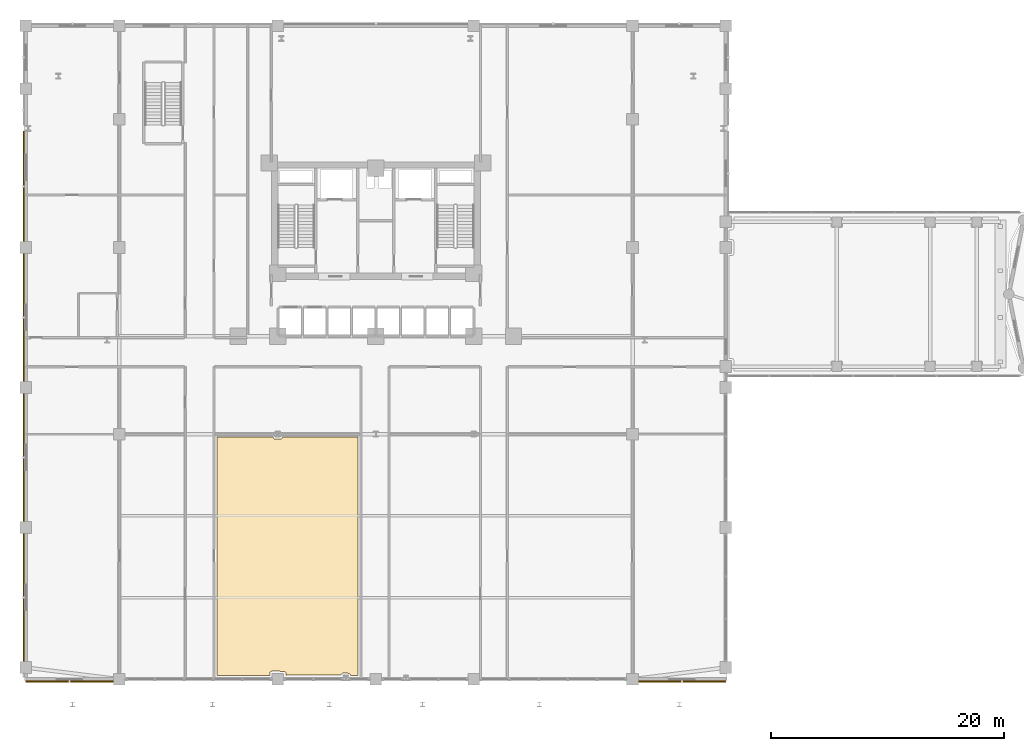
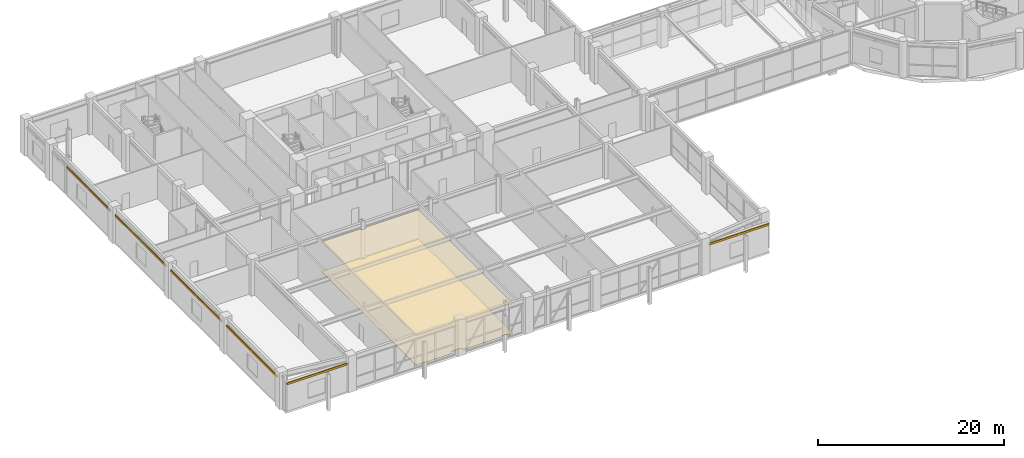
# One storey, part 42 of 48: 6 shading devices, 2 coverings.
"""IFC4 building model written with IfcOpenShell, lengths in metres."""

from ifc_helpers import new_model, si_unit, derived_unit, direction, frame, origin, origin_2d, place, context, subcontext, project, spatial, polyline, hollow_rectangle, outline, extrude, source, transform, mapped, material, layer, layer_set, material_profile, profile_set, type_object, element, save


model = new_model("IFC4")

# Units and contexts
model_context = context("Model", 3, precision=1e-05, world=origin(), true_north=direction((0.0, 1.0)))
body_context = subcontext(model_context, "Body", "Model", "MODEL_VIEW")
ifc_project = project(units=[si_unit("LENGTHUNIT", "METRE"), si_unit("AREAUNIT", "SQUARE_METRE"), si_unit("VOLUMEUNIT", "CUBIC_METRE"), si_unit("PLANEANGLEUNIT", "RADIAN"), si_unit("MASSUNIT", "GRAM", prefix="KILO"), derived_unit("THERMALTRANSMITTANCEUNIT", [(si_unit("POWERUNIT", "WATT"), 1), (si_unit("LENGTHUNIT", "METRE"), -2), (si_unit("THERMODYNAMICTEMPERATUREUNIT", "KELVIN"), -1)])], contexts=[model_context])

# Site, building, storey
site_placement = place(None, origin())
site = spatial("IfcSite", under=ifc_project, at=site_placement, CompositionType="ELEMENT")
building_placement = place(site_placement, origin())
building = spatial("IfcBuilding", under=site, at=building_placement, Name="Korsvarv Bourse and Concert Hall", CompositionType="ELEMENT")
storey_placement = place(building_placement, frame((0.0, 0.0, 4.800048828125)))
storey = spatial("IfcBuildingStorey", under=building, at=storey_placement, Name="L01", CompositionType="ELEMENT", Elevation=4.800048828125)

# Coverings
ifc_material_1 = material(Name="Perforated mineral-wool and birch acoustic baffle ceiling", Category="wood")
ifc_layer_1 = layer(ifc_material_1, 0.02490234375)
ifc_layer_set_1 = layer_set([ifc_layer_1], Name="Perforated mineral-wool and birch acoustic baffle ceiling")
covering_type_1 = type_object("IfcCoveringType", Name="COV-CEIL-1", PredefinedType="CEILING", material=ifc_layer_set_1)
covering_1_placement = place(storey_placement, frame((0.0, 0.0, 3.89990234375)))
element("IfcCovering", 1, at=covering_1_placement, inside=storey, type_object=covering_type_1, Name="L01 acoustic baffle ceiling 2", PredefinedType="CEILING", context=body_context, shape_type="SweptSolid", body=[
    extrude(outline(polyline([(27.19873046875, 23.74560546875), (27.20556640625, 23.71142578125), (27.218505859375, 23.67919921875), (27.23779296875, 23.650146484375), (27.261962890625, 23.625244140625), (27.29052734375, 23.605712890625), (27.322509765625, 23.591796875), (27.3564453125, 23.584228515625), (27.807861328125, 23.572998046875), (27.84228515625, 23.57568359375), (27.87548828125, 23.584716796875), (27.906494140625, 23.599853515625), (27.93408203125, 23.620849609375), (27.95703125, 23.646484375), (27.974853515625, 23.67626953125), (27.986572265625, 23.708740234375), (27.99169921875, 23.742919921875), (34.469970703125, 23.75), (34.469970703125, 3.340087890625), (33.819580078125, 3.340087890625), (33.816650390625, 3.365234375), (33.806884765625, 3.398681640625), (33.79052734375, 3.429443359375), (33.768798828125, 3.45654296875), (33.7421875, 3.47900390625), (33.7119140625, 3.495849609375), (33.6787109375, 3.506591796875), (33.644287109375, 3.5107421875), (33.210205078125, 3.520751953125), (33.17578125, 3.51806640625), (33.142333984375, 3.509033203125), (33.111328125, 3.493896484375), (33.083984375, 3.472900390625), (33.060791015625, 3.447021484375), (33.043212890625, 3.41748046875), (33.031494140625, 3.384765625), (33.0263671875, 3.3505859375), (28.2900390625, 3.340087890625), (28.2900390625, 3.5), (28.28662109375, 3.534912109375), (28.276611328125, 3.568603515625), (28.260009765625, 3.599365234375), (28.23779296875, 3.626708984375), (28.2109375, 3.64892578125), (28.18017578125, 3.665771484375), (28.146484375, 3.67626953125), (28.11181640625, 3.679931640625), (27.101806640625, 3.68994140625), (27.06689453125, 3.68701171875), (27.033447265625, 3.67724609375), (27.00244140625, 3.661376953125), (26.97509765625, 3.6396484375), (26.952392578125, 3.61328125), (26.935302734375, 3.582763671875), (26.92431640625, 3.5498046875), (26.920166015625, 3.51513671875), (26.9150390625, 3.340087890625), (22.3798828125, 3.340087890625), (22.3798828125, 23.75), (27.19873046875, 23.74560546875)])), origin(), (0.0, 0.0, 1.0), 0.025146484375),
])
ifc_material_2 = material(Name="Calcium-sulphate raised access trading floor with Nordic oak top", Category="wood")
ifc_layer_2 = layer(ifc_material_2, 0.0400390625)
ifc_layer_set_2 = layer_set([ifc_layer_2], Name="Calcium-sulphate raised access trading floor with Nordic oak top")
covering_type_2 = type_object("IfcCoveringType", Name="COV-FLOR-1", PredefinedType="FLOORING", material=ifc_layer_set_2)
covering_2_placement = place(storey_placement, origin())
element("IfcCovering", 2, at=covering_2_placement, inside=storey, type_object=covering_type_2, Name="L01 raised access oak floor finish 2", PredefinedType="FLOORING", context=body_context, shape_type="SweptSolid", body=[
    extrude(outline(polyline([(27.19873046875, 23.74560546875), (27.20556640625, 23.71142578125), (27.218505859375, 23.67919921875), (27.23779296875, 23.650146484375), (27.261962890625, 23.625244140625), (27.29052734375, 23.605712890625), (27.322509765625, 23.591796875), (27.3564453125, 23.584228515625), (27.807861328125, 23.572998046875), (27.84228515625, 23.57568359375), (27.87548828125, 23.584716796875), (27.906494140625, 23.599853515625), (27.93408203125, 23.620849609375), (27.95703125, 23.646484375), (27.974853515625, 23.67626953125), (27.986572265625, 23.708740234375), (27.99169921875, 23.742919921875), (34.469970703125, 23.75), (34.469970703125, 3.340087890625), (33.819580078125, 3.340087890625), (33.816650390625, 3.365234375), (33.806884765625, 3.398681640625), (33.79052734375, 3.429443359375), (33.768798828125, 3.45654296875), (33.7421875, 3.47900390625), (33.7119140625, 3.495849609375), (33.6787109375, 3.506591796875), (33.644287109375, 3.5107421875), (33.210205078125, 3.520751953125), (33.17578125, 3.51806640625), (33.142333984375, 3.509033203125), (33.111328125, 3.493896484375), (33.083984375, 3.472900390625), (33.060791015625, 3.447021484375), (33.043212890625, 3.41748046875), (33.031494140625, 3.384765625), (33.0263671875, 3.3505859375), (28.2900390625, 3.340087890625), (28.2900390625, 3.5), (28.28662109375, 3.534912109375), (28.276611328125, 3.568603515625), (28.260009765625, 3.599365234375), (28.23779296875, 3.626708984375), (28.2109375, 3.64892578125), (28.18017578125, 3.665771484375), (28.146484375, 3.67626953125), (28.11181640625, 3.679931640625), (27.101806640625, 3.68994140625), (27.06689453125, 3.68701171875), (27.033447265625, 3.67724609375), (27.00244140625, 3.661376953125), (26.97509765625, 3.6396484375), (26.952392578125, 3.61328125), (26.935302734375, 3.582763671875), (26.92431640625, 3.5498046875), (26.920166015625, 3.51513671875), (26.9150390625, 3.340087890625), (22.3798828125, 3.340087890625), (22.3798828125, 23.75), (27.19873046875, 23.74560546875)])), origin(), (0.0, 0.0, 1.0), 0.0400390625),
])

# Shading devices
ifc_material_3 = material(Name="Glazed extruded architectural terracotta", Category="ceramic")
ifc_material_profile = material_profile(ifc_material_3, hollow_rectangle(XDim=0.090087890625, YDim=0.260009765625, WallThickness=0.011962890625, at=origin_2d()), Name="TC-BAG 90x260")
ifc_profile_set = profile_set([ifc_material_profile], Name="Glazed extruded architectural terracotta")
shading_device_type = type_object("IfcShadingDeviceType", Name="SHD-BAG-1", PredefinedType="USERDEFINED", material=ifc_profile_set)
shared_shape_1 = source(origin(), body_context, "Body", "SweptSolid", [
    extrude(hollow_rectangle(XDim=0.090087890625, YDim=0.260009765625, WallThickness=0.011962890625, at=origin_2d()), origin(), (0.0, 0.0, 1.0), 7.4951171875),
])
for number, where, z_axis, x_axis, name in (
    (3, (6.0, 2.804931640625, 3.659912109375), (1.0, 0.0, 0.0), (0.0, 1.0, 0.0), "L01 terracotta baguette sunshade EW-L01-S1"),
    (4, (58.5048828125, 2.804931640625, 3.659912109375), (1.0, 0.0, 0.0), (0.0, 1.0, 0.0), "L01 terracotta baguette sunshade EW-L01-S6"),
):
    element("IfcShadingDevice", number, at=place(storey_placement, frame(where, z_axis=z_axis, x_axis=x_axis)), inside=storey, type_object=shading_device_type, Name=name, ObjectType="BAGUETTE", PredefinedType="USERDEFINED", context=body_context, shape_type="MappedRepresentation", body=[
        mapped(shared_shape_1, transform((0.0, 0.0, 0.0), scale=1.0)),
    ])
shared_shape_2 = source(origin(), body_context, "Body", "SweptSolid", [
    extrude(hollow_rectangle(XDim=0.090087890625, YDim=0.260009765625, WallThickness=0.011962890625, at=origin_2d()), origin(), (0.0, 0.0, 1.0), 10.990234375),
])
for number, where, z_axis, x_axis, name in (
    (5, (5.804931640625, 4.5048828125, 3.659912109375), (0.0, 1.0, 0.0), (-1.0, 0.0, 0.0), "L01 terracotta baguette sunshade EW-L01-W1-2"),
    (6, (5.804931640625, 16.5048828125, 3.659912109375), (0.0, 1.0, 0.0), (-1.0, 0.0, 0.0), "L01 terracotta baguette sunshade EW-L01-W2"),
    (7, (5.804931640625, 28.5048828125, 3.659912109375), (0.0, 1.0, 0.0), (-1.0, 0.0, 0.0), "L01 terracotta baguette sunshade EW-L01-W3"),
):
    element("IfcShadingDevice", number, at=place(storey_placement, frame(where, z_axis=z_axis, x_axis=x_axis)), inside=storey, type_object=shading_device_type, Name=name, ObjectType="BAGUETTE", PredefinedType="USERDEFINED", context=body_context, shape_type="MappedRepresentation", body=[
        mapped(shared_shape_2, transform((0.0, 0.0, 0.0), scale=1.0)),
    ])
shared_shape_3 = source(origin(), body_context, "Body", "SweptSolid", [
    extrude(hollow_rectangle(XDim=0.090087890625, YDim=0.260009765625, WallThickness=0.011962890625, at=origin_2d()), origin(), (0.0, 0.0, 1.0), 9.47021484375),
])
shading_device_placement = place(storey_placement, frame((5.804931640625, 40.5048828125, 3.659912109375), z_axis=(0.0, 1.0, 0.0), x_axis=(-1.0, 0.0, 0.0)))
element("IfcShadingDevice", 8, at=shading_device_placement, inside=storey, type_object=shading_device_type, Name="L01 terracotta baguette sunshade EW-L01-W4-1", ObjectType="BAGUETTE", PredefinedType="USERDEFINED", context=body_context, shape_type="MappedRepresentation", body=[
    mapped(shared_shape_3, transform((0.0, 0.0, 0.0), scale=1.0)),
])

save(model, "model.ifc")
